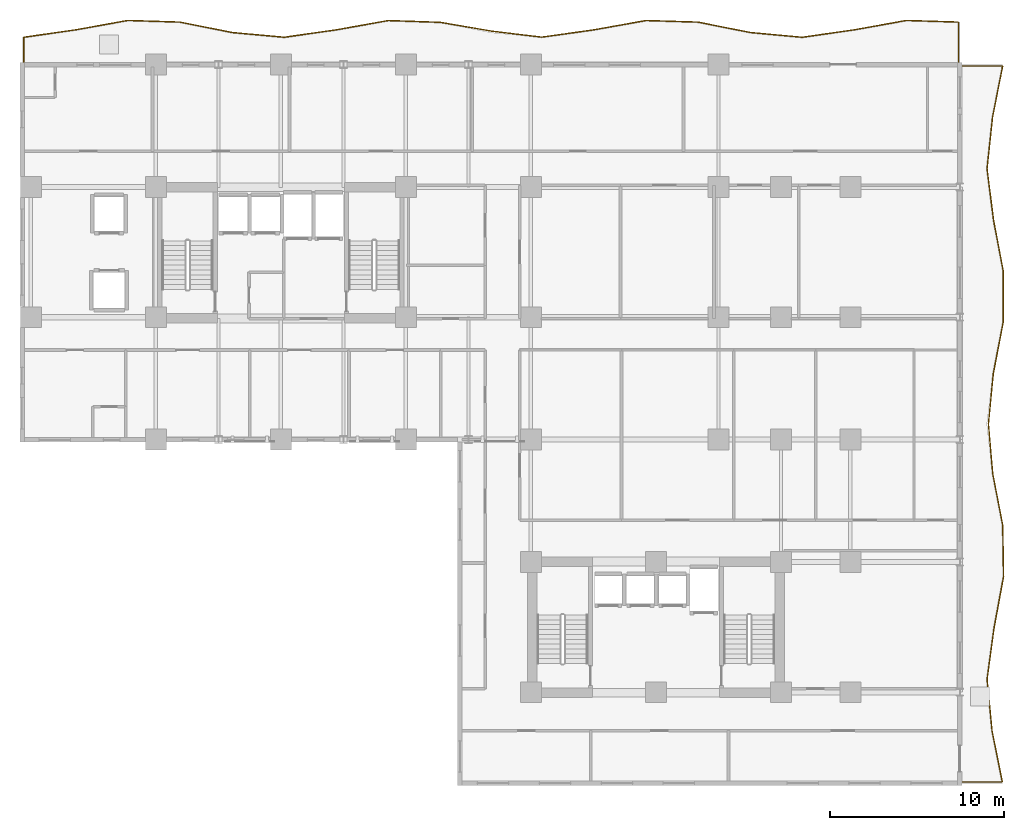
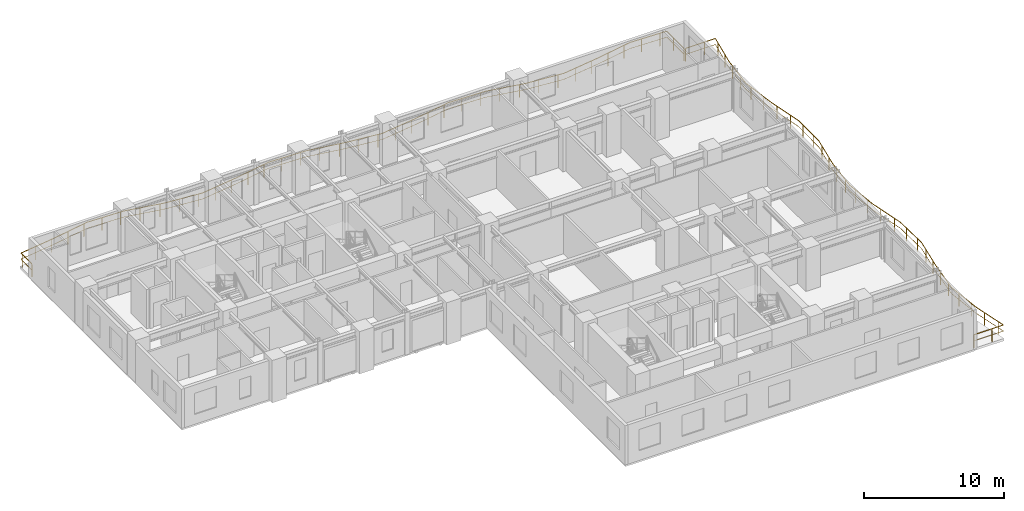
# One storey, part 11 of 11: 2 railings.
"""IFC4 building model written with IfcOpenShell, lengths in metres."""

import ifcopenshell
import ifcopenshell.guid

model = None  # the IFC model being written
_history = None  # IfcOwnerHistory: only IFC2X3 demands one
_inside = {}  # id of a spatial element -> (the spatial element, [elements in it])
_under = {}  # id of a project, library or spatial element -> (it, [spatial elements below it])
_declared = {}  # id of a project -> (the project, [libraries it declares])
_typed = {}  # id of a type object -> (the type object, [elements of that type])
_made_of = {}  # id of a material, layer set ... -> (it, [elements and type objects made of it])


def new_model(schema):
    """Start an empty IFC model of exactly this schema.

    Asked for "IFC4X3", IfcOpenShell would pick the latest addendum, in which some entities
    have other attributes; the version numbers below select the first issue.
    IFC2X3 requires an IfcOwnerHistory on every rooted entity: one is made here for all.
    """
    global model, _history
    if schema == "IFC4X3":
        model = ifcopenshell.file(schema_version=(4, 3, 0, 0))
    else:
        model = ifcopenshell.file(schema=schema)
    _inside.clear()
    _under.clear()
    _declared.clear()
    _typed.clear()
    _made_of.clear()
    _history = None
    if model.schema == "IFC2X3":
        org = make("IfcOrganization", Name="unknown")
        user = make(
            "IfcPersonAndOrganization",
            ThePerson=make("IfcPerson", FamilyName="unknown"),
            TheOrganization=org,
        )
        app = make(
            "IfcApplication",
            ApplicationDeveloper=org,
            Version="unknown",
            ApplicationFullName="unknown",
            ApplicationIdentifier="unknown",
        )
        _history = make(
            "IfcOwnerHistory",
            OwningUser=user,
            OwningApplication=app,
            ChangeAction="ADDED",
            CreationDate=0,
        )
    return model


def make(cls, **values):
    """One entity of the class cls with the attributes given. An attribute that is None is left unset."""
    return model.create_entity(
        cls, **{name: value for name, value in values.items() if value is not None}
    )


def rooted(cls, **values):
    """An entity with a GlobalId (a new one), such as an element, a storey or a relation."""
    return make(cls, GlobalId=ifcopenshell.guid.new(), OwnerHistory=_history, **values)


def si_unit(unit_type, name, prefix=None):
    """IfcSIUnit, for example si_unit("LENGTHUNIT", "METRE", prefix="MILLI")."""
    return make("IfcSIUnit", UnitType=unit_type, Prefix=prefix, Name=name)


def assignment(units):
    """IfcUnitAssignment: the units of a project."""
    return None if units is None else make("IfcUnitAssignment", Units=units)


def point(xyz):
    """IfcCartesianPoint."""
    return None if xyz is None else make("IfcCartesianPoint", Coordinates=xyz)


def direction(xyz):
    """IfcDirection."""
    return None if xyz is None else make("IfcDirection", DirectionRatios=xyz)


def frame(location, z_axis=None, x_axis=None):
    """IfcAxis2Placement3D, a coordinate frame: its origin and axes. An axis left out is left unset."""
    return make(
        "IfcAxis2Placement3D",
        Location=point(location),
        Axis=direction(z_axis),
        RefDirection=direction(x_axis),
    )


def frame_2d(location, x_axis=None):
    """IfcAxis2Placement2D, a coordinate frame in the plane: its origin and x axis."""
    return make(
        "IfcAxis2Placement2D", Location=point(location), RefDirection=direction(x_axis)
    )


def origin():
    """The frame at (0, 0, 0) with its axes left unset."""
    return frame((0.0, 0.0, 0.0))


def origin_2d():
    """The frame at (0, 0) in the plane with its x axis left unset."""
    return frame_2d((0.0, 0.0))


def place(relative_to, where):
    """IfcLocalPlacement: puts the frame where relative to a parent placement (None: the world)."""
    return make(
        "IfcLocalPlacement", PlacementRelTo=relative_to, RelativePlacement=where
    )


def context(
    kind, dimensions, precision=None, world=None, true_north=None, identifier=None
):
    """IfcGeometricRepresentationContext, for example the 3D "Model" context."""
    return make(
        "IfcGeometricRepresentationContext",
        ContextIdentifier=identifier,
        ContextType=kind,
        CoordinateSpaceDimension=dimensions,
        Precision=precision,
        WorldCoordinateSystem=world,
        TrueNorth=true_north,
    )


def subcontext(parent, identifier, kind, view, scale=None):
    """IfcGeometricRepresentationSubContext, for example "Body" below "Model"."""
    return make(
        "IfcGeometricRepresentationSubContext",
        ContextIdentifier=identifier,
        ContextType=kind,
        ParentContext=parent,
        TargetScale=scale,
        TargetView=view,
    )


def project(units=None, contexts=None):
    """IfcProject with its units and contexts."""
    return rooted(
        "IfcProject",
        Name="project",
        RepresentationContexts=contexts,
        UnitsInContext=assignment(units),
    )


def spatial(cls, under=None, at=None, **own):
    """A site, building, storey or space (cls), placed at a placement, below another one or the project."""
    s = rooted(cls, ObjectPlacement=at, **own)
    if under is not None:
        _under.setdefault(under.id(), (under, []))[1].append(s)
    return s


def profile(cls, at=None, kind="AREA", **sizes):
    """A parametric profile (cls). Its sizes go by their IFC names, for example OverallWidth=200.0."""
    return make(cls, ProfileType=kind, Position=at, **sizes)


def rectangle(**sizes):
    """IfcRectangleProfileDef."""
    return profile("IfcRectangleProfileDef", **sizes)


def extrude(swept, where, along, depth):
    """IfcExtrudedAreaSolid: the profile swept, set in the frame where, extruded along a direction by depth."""
    return make(
        "IfcExtrudedAreaSolid",
        SweptArea=swept,
        Position=where,
        ExtrudedDirection=direction(along),
        Depth=depth,
    )


def shape(context_of_items, identifier, shape_type, items):
    """IfcShapeRepresentation: the items that make up one representation, for example the "Body"."""
    return make(
        "IfcShapeRepresentation",
        ContextOfItems=context_of_items,
        RepresentationIdentifier=identifier,
        RepresentationType=shape_type,
        Items=items,
    )


def material(Name=None, Category=None):
    """IfcMaterial."""
    return make("IfcMaterial", Name=Name, Category=Category)


def made_of(thing, what):
    """Note that an element or type object is made of a material, layer set ...; save() writes the relation."""
    if what is not None:
        _made_of.setdefault(what.id(), (what, []))[1].append(thing)
    return thing


def type_object(cls, material=None, **own):
    """A type object (cls), such as IfcWallType, which elements share."""
    return made_of(rooted(cls, **own), material)


def element(
    cls,
    number,
    at=None,
    inside=None,
    cuts=None,
    type_object=None,
    material=None,
    context=None,
    identifier="Body",
    shape_type=None,
    held_by="IfcProductDefinitionShape",
    body=None,
    shapes=None,
    **own,
):
    """One element of the class cls, such as IfcWall. Its Tag is "e" and its number.

    at: its placement. inside: the storey or other place that contains it. cuts: it is an
    opening in that element (IfcRelVoidsElement). A single representation is given by context,
    identifier, shape_type and body (its items); several are given by shapes. held_by: the class
    of the entity that holds the representations. save() writes the other relations.
    """
    e = rooted(cls, Tag="e%d" % number, ObjectPlacement=at, **own)
    if body is not None:
        shapes = [shape(context, identifier, shape_type, body)]
    if shapes is not None:
        e.Representation = make(held_by, Representations=shapes)
    if inside is not None:
        _inside.setdefault(inside.id(), (inside, []))[1].append(e)
    if cuts is not None:
        rooted(
            "IfcRelVoidsElement", RelatingBuildingElement=cuts, RelatedOpeningElement=e
        )
    if type_object is not None:
        _typed.setdefault(type_object.id(), (type_object, []))[1].append(e)
    return made_of(e, material)


def aggregate(whole, parts):
    """IfcRelAggregates: a whole, such as a stair, and the parts it consists of."""
    return rooted("IfcRelAggregates", RelatingObject=whole, RelatedObjects=parts)


def save(model, path):
    """Write the relations noted so far, then the file.

    IfcRelAggregates (storeys below a building ...), IfcRelContainedInSpatialStructure (elements
    in a storey), IfcRelDefinesByType, IfcRelAssociatesMaterial and IfcRelDeclares: one each for
    every whole, place, type object, material and project.
    """
    for whole, parts in _under.values():
        aggregate(whole, parts)
    for where, things in _inside.values():
        rooted(
            "IfcRelContainedInSpatialStructure",
            RelatedElements=things,
            RelatingStructure=where,
        )
    for kind, things in _typed.values():
        rooted("IfcRelDefinesByType", RelatedObjects=things, RelatingType=kind)
    for what, things in _made_of.values():
        rooted("IfcRelAssociatesMaterial", RelatedObjects=things, RelatingMaterial=what)
    for by, libraries in _declared.values():
        rooted("IfcRelDeclares", RelatingContext=by, RelatedDefinitions=libraries)
    model.write(path)


model = new_model("IFC4")

# Units and contexts
model_context = context("Model", 3, precision=1e-05, world=origin(), true_north=direction((0.0, 1.0)))
body_context = subcontext(model_context, "Body", "Model", "MODEL_VIEW")
ifc_project = project(units=[si_unit("LENGTHUNIT", "METRE"), si_unit("AREAUNIT", "SQUARE_METRE"), si_unit("VOLUMEUNIT", "CUBIC_METRE"), si_unit("PLANEANGLEUNIT", "RADIAN"), si_unit("MASSUNIT", "GRAM", prefix="KILO")], contexts=[model_context])

# Site, building, storey
site_placement = place(None, origin())
site = spatial("IfcSite", under=ifc_project, at=site_placement, CompositionType="ELEMENT")
building_placement = place(site_placement, origin())
building = spatial("IfcBuilding", under=site, at=building_placement, Name="Kaliganga Portal Commons", CompositionType="ELEMENT")
storey_placement = place(building_placement, frame((0.0, 0.0, 104.5)))
storey = spatial("IfcBuildingStorey", under=building, at=storey_placement, Name="L26", CompositionType="ELEMENT", Elevation=104.5)

# Railings
ifc_material = material(Name="Laminated Safety Glass and Stainless Steel 316", Category="steel")
railing_type = type_object("IfcRailingType", Name="RLG-BAL-1150", PredefinedType="BALUSTRADE", material=ifc_material)
railing_1_placement = place(storey_placement, frame((60.6201171875, 43.20556640625, 0.0)))
element("IfcRailing", 1, at=railing_1_placement, inside=storey, type_object=railing_type, Name="Balcony Guardrail L26 balc_north", PredefinedType="BALUSTRADE", context=body_context, shape_type="SweptSolid", body=[
    extrude(rectangle(XDim=0.048095703125, YDim=0.048095703125, at=origin_2d()), frame((0.0, 0.0, 1.1259765625), z_axis=(0.0, 1.0, 0.0), x_axis=(-1.0, 0.0, 0.0)), (0.0, 0.0, 1.0), 2.441162109375),
    extrude(rectangle(XDim=0.028076171875, YDim=0.028076171875, at=origin_2d()), frame((0.0, 0.0, 0.597900390625), z_axis=(0.0, 1.0, 0.0), x_axis=(-1.0, 0.0, 0.0)), (0.0, 0.0, 1.0), 2.441162109375),
    extrude(rectangle(XDim=0.048095703125, YDim=0.048095703125, at=origin_2d()), frame((0.0, 2.441162109375, 1.1259765625), z_axis=(-0.999501865696, 0.031559791983, 0.0), x_axis=(-0.031559791983, -0.999501865696, 0.0)), (0.0, 0.0, 1.0), 3.00146484375),
    extrude(rectangle(XDim=0.028076171875, YDim=0.028076171875, at=origin_2d()), frame((0.0, 2.441162109375, 0.597900390625), z_axis=(-0.999501865696, 0.031559791983, 0.0), x_axis=(-0.031559791983, -0.999501865696, 0.0)), (0.0, 0.0, 1.0), 3.00146484375),
    extrude(rectangle(XDim=0.048095703125, YDim=0.048095703125, at=origin_2d()), frame((-3.0, 2.535888671875, 1.1259765625), z_axis=(-0.984153147736, -0.177320562263, 0.0), x_axis=(0.177320562263, -0.984153147736, 0.0)), (0.0, 0.0, 1.0), 3.04833984375),
    extrude(rectangle(XDim=0.028076171875, YDim=0.028076171875, at=origin_2d()), frame((-3.0, 2.535888671875, 0.597900390625), z_axis=(-0.984153147736, -0.177320562263, 0.0), x_axis=(0.177320562263, -0.984153147736, 0.0)), (0.0, 0.0, 1.0), 3.04833984375),
    extrude(rectangle(XDim=0.048095703125, YDim=0.048095703125, at=origin_2d()), frame((-6.0, 1.995361328125, 1.1259765625), z_axis=(-0.989954326844, -0.141387519825, 0.0), x_axis=(0.141387519825, -0.989954326844, 0.0)), (0.0, 0.0, 1.0), 3.030517578125),
    extrude(rectangle(XDim=0.028076171875, YDim=0.028076171875, at=origin_2d()), frame((-6.0, 1.995361328125, 0.597900390625), z_axis=(-0.989954326844, -0.141387519825, 0.0), x_axis=(0.141387519825, -0.989954326844, 0.0)), (0.0, 0.0, 1.0), 3.030517578125),
    extrude(rectangle(XDim=0.048095703125, YDim=0.048095703125, at=origin_2d()), frame((-9.0, 1.56689453125, 1.1259765625), z_axis=(-0.995820483332, 0.091332168352, 0.0), x_axis=(-0.091332168352, -0.995820483332, 0.0)), (0.0, 0.0, 1.0), 3.0126953125),
    extrude(rectangle(XDim=0.028076171875, YDim=0.028076171875, at=origin_2d()), frame((-9.0, 1.56689453125, 0.597900390625), z_axis=(-0.995820483332, 0.091332168352, 0.0), x_axis=(-0.091332168352, -0.995820483332, 0.0)), (0.0, 0.0, 1.0), 3.0126953125),
    extrude(rectangle(XDim=0.048095703125, YDim=0.048095703125, at=origin_2d()), frame((-12.0, 1.842041015625, 1.1259765625), z_axis=(-0.980758318904, 0.195225817711, 0.0), x_axis=(-0.195225817711, -0.980758318904, 0.0)), (0.0, 0.0, 1.0), 3.058837890625),
    extrude(rectangle(XDim=0.028076171875, YDim=0.028076171875, at=origin_2d()), frame((-12.0, 1.842041015625, 0.597900390625), z_axis=(-0.980758318904, 0.195225817711, 0.0), x_axis=(-0.195225817711, -0.980758318904, 0.0)), (0.0, 0.0, 1.0), 3.058837890625),
    extrude(rectangle(XDim=0.048095703125, YDim=0.048095703125, at=origin_2d()), frame((-15.0, 2.439208984375, 1.1259765625), z_axis=(-0.999519664647, 0.030990966165, 0.0), x_axis=(-0.030990966165, -0.999519664647, 0.0)), (0.0, 0.0, 1.0), 3.00146484375),
    extrude(rectangle(XDim=0.028076171875, YDim=0.028076171875, at=origin_2d()), frame((-15.0, 2.439208984375, 0.597900390625), z_axis=(-0.999519664647, 0.030990966165, 0.0), x_axis=(-0.030990966165, -0.999519664647, 0.0)), (0.0, 0.0, 1.0), 3.00146484375),
    extrude(rectangle(XDim=0.048095703125, YDim=0.048095703125, at=origin_2d()), frame((-18.0, 2.5322265625, 1.1259765625), z_axis=(-0.984306544879, -0.176467066924, 0.0), x_axis=(0.176467066924, -0.984306544879, 0.0)), (0.0, 0.0, 1.0), 3.0478515625),
    extrude(rectangle(XDim=0.028076171875, YDim=0.028076171875, at=origin_2d()), frame((-18.0, 2.5322265625, 0.597900390625), z_axis=(-0.984306544879, -0.176467066924, 0.0), x_axis=(0.176467066924, -0.984306544879, 0.0)), (0.0, 0.0, 1.0), 3.0478515625),
    extrude(rectangle(XDim=0.048095703125, YDim=0.048095703125, at=origin_2d()), frame((-21.0, 1.994384765625, 1.1259765625), z_axis=(-0.990331118511, -0.138723738805, 0.0), x_axis=(0.138723738805, -0.990331118511, 0.0)), (0.0, 0.0, 1.0), 3.02880859375),
    extrude(rectangle(XDim=0.028076171875, YDim=0.028076171875, at=origin_2d()), frame((-21.0, 1.994384765625, 0.597900390625), z_axis=(-0.990331118511, -0.138723738805, 0.0), x_axis=(0.138723738805, -0.990331118511, 0.0)), (0.0, 0.0, 1.0), 3.02880859375),
    extrude(rectangle(XDim=0.048095703125, YDim=0.048095703125, at=origin_2d()), frame((-23.99951171875, 1.57421875, 1.1259765625), z_axis=(-0.992999637098, 0.11811740229, 0.0), x_axis=(-0.11811740229, -0.992999637098, 0.0)), (0.0, 0.0, 1.0), 2.941162109375),
    extrude(rectangle(XDim=0.028076171875, YDim=0.028076171875, at=origin_2d()), frame((-23.99951171875, 1.57421875, 0.597900390625), z_axis=(-0.992999637098, 0.11811740229, 0.0), x_axis=(-0.11811740229, -0.992999637098, 0.0)), (0.0, 0.0, 1.0), 2.941162109375),
    extrude(rectangle(XDim=0.048095703125, YDim=0.048095703125, at=origin_2d()), frame((-26.920166015625, 1.921630859375, 1.1259765625), z_axis=(-0.985293235579, 0.170871998648, 0.0), x_axis=(-0.170871998648, -0.985293235579, 0.0)), (0.0, 0.0, 1.0), 2.96484375),
    extrude(rectangle(XDim=0.028076171875, YDim=0.028076171875, at=origin_2d()), frame((-26.920166015625, 1.921630859375, 0.597900390625), z_axis=(-0.985293235579, 0.170871998648, 0.0), x_axis=(-0.170871998648, -0.985293235579, 0.0)), (0.0, 0.0, 1.0), 2.96484375),
    extrude(rectangle(XDim=0.048095703125, YDim=0.048095703125, at=origin_2d()), frame((-29.84130859375, 2.42822265625, 1.1259765625), z_axis=(-0.999429908755, 0.033761775509, 0.0), x_axis=(-0.033761775509, -0.999429908755, 0.0)), (0.0, 0.0, 1.0), 3.0009765625),
    extrude(rectangle(XDim=0.028076171875, YDim=0.028076171875, at=origin_2d()), frame((-29.84130859375, 2.42822265625, 0.597900390625), z_axis=(-0.999429908755, 0.033761775509, 0.0), x_axis=(-0.033761775509, -0.999429908755, 0.0)), (0.0, 0.0, 1.0), 3.0009765625),
    extrude(rectangle(XDim=0.048095703125, YDim=0.048095703125, at=origin_2d()), frame((-32.840576171875, 2.529541015625, 1.1259765625), z_axis=(-0.98448200502, -0.175485560068, 0.0), x_axis=(0.175485560068, -0.98448200502, 0.0)), (0.0, 0.0, 1.0), 3.046875),
    extrude(rectangle(XDim=0.028076171875, YDim=0.028076171875, at=origin_2d()), frame((-32.840576171875, 2.529541015625, 0.597900390625), z_axis=(-0.98448200502, -0.175485560068, 0.0), x_axis=(0.175485560068, -0.98448200502, 0.0)), (0.0, 0.0, 1.0), 3.046875),
    extrude(rectangle(XDim=0.048095703125, YDim=0.048095703125, at=origin_2d()), frame((-35.840087890625, 1.994873046875, 1.1259765625), z_axis=(-0.990010631998, -0.140992725097, 0.0), x_axis=(0.140992725097, -0.990010631998, 0.0)), (0.0, 0.0, 1.0), 3.0302734375),
    extrude(rectangle(XDim=0.028076171875, YDim=0.028076171875, at=origin_2d()), frame((-35.840087890625, 1.994873046875, 0.597900390625), z_axis=(-0.990010631998, -0.140992725097, 0.0), x_axis=(0.140992725097, -0.990010631998, 0.0)), (0.0, 0.0, 1.0), 3.0302734375),
    extrude(rectangle(XDim=0.048095703125, YDim=0.048095703125, at=origin_2d()), frame((-38.840087890625, 1.567626953125, 1.1259765625), z_axis=(-0.99584256653, 0.091091068097, 0.0), x_axis=(-0.091091068097, -0.99584256653, 0.0)), (0.0, 0.0, 1.0), 3.012451171875),
    extrude(rectangle(XDim=0.028076171875, YDim=0.028076171875, at=origin_2d()), frame((-38.840087890625, 1.567626953125, 0.597900390625), z_axis=(-0.99584256653, 0.091091068097, 0.0), x_axis=(-0.091091068097, -0.99584256653, 0.0)), (0.0, 0.0, 1.0), 3.012451171875),
    extrude(rectangle(XDim=0.048095703125, YDim=0.048095703125, at=origin_2d()), frame((-41.840087890625, 1.842041015625, 1.1259765625), z_axis=(-0.980681839779, 0.195609634546, 0.0), x_axis=(-0.195609634546, -0.980681839779, 0.0)), (0.0, 0.0, 1.0), 3.05908203125),
    extrude(rectangle(XDim=0.028076171875, YDim=0.028076171875, at=origin_2d()), frame((-41.840087890625, 1.842041015625, 0.597900390625), z_axis=(-0.980681839779, 0.195609634546, 0.0), x_axis=(-0.195609634546, -0.980681839779, 0.0)), (0.0, 0.0, 1.0), 3.05908203125),
    extrude(rectangle(XDim=0.048095703125, YDim=0.048095703125, at=origin_2d()), frame((-44.840087890625, 2.4404296875, 1.1259765625), z_axis=(-0.999496720941, 0.031722308038, 0.0), x_axis=(-0.031722308038, -0.999496720941, 0.0)), (0.0, 0.0, 1.0), 3.00146484375),
    extrude(rectangle(XDim=0.028076171875, YDim=0.028076171875, at=origin_2d()), frame((-44.840087890625, 2.4404296875, 0.597900390625), z_axis=(-0.999496720941, 0.031722308038, 0.0), x_axis=(-0.031722308038, -0.999496720941, 0.0)), (0.0, 0.0, 1.0), 3.00146484375),
    extrude(rectangle(XDim=0.048095703125, YDim=0.048095703125, at=origin_2d()), frame((-47.840087890625, 2.53564453125, 1.1259765625), z_axis=(-0.984167121533, -0.177242988277, 0.0), x_axis=(0.177242988277, -0.984167121533, 0.0)), (0.0, 0.0, 1.0), 3.04833984375),
    extrude(rectangle(XDim=0.028076171875, YDim=0.028076171875, at=origin_2d()), frame((-47.840087890625, 2.53564453125, 0.597900390625), z_axis=(-0.984167121533, -0.177242988277, 0.0), x_axis=(0.177242988277, -0.984167121533, 0.0)), (0.0, 0.0, 1.0), 3.04833984375),
    extrude(rectangle(XDim=0.048095703125, YDim=0.048095703125, at=origin_2d()), frame((-50.840087890625, 1.995361328125, 1.1259765625), z_axis=(-0.989943047691, -0.141466470682, 0.0), x_axis=(0.141466470682, -0.989943047691, 0.0)), (0.0, 0.0, 1.0), 3.030517578125),
    extrude(rectangle(XDim=0.028076171875, YDim=0.028076171875, at=origin_2d()), frame((-50.840087890625, 1.995361328125, 0.597900390625), z_axis=(-0.989943047691, -0.141466470682, 0.0), x_axis=(0.141466470682, -0.989943047691, 0.0)), (0.0, 0.0, 1.0), 3.030517578125),
    extrude(rectangle(XDim=0.048095703125, YDim=0.048095703125, at=origin_2d()), frame((-53.840087890625, 1.566650390625, 1.1259765625), z_axis=(-0.000155836059, -0.999999987858, 0.0), x_axis=(0.999999987858, -0.000155836059, 0.0)), (0.0, 0.0, 1.0), 1.566650390625),
    extrude(rectangle(XDim=0.028076171875, YDim=0.028076171875, at=origin_2d()), frame((-53.840087890625, 1.566650390625, 0.597900390625), z_axis=(-0.000155836059, -0.999999987858, 0.0), x_axis=(0.999999987858, -0.000155836059, 0.0)), (0.0, 0.0, 1.0), 1.566650390625),
    extrude(rectangle(XDim=0.0419921875, YDim=0.0419921875, at=origin_2d()), origin(), (0.0, 0.0, 1.0), 1.101806640625),
    extrude(rectangle(XDim=0.0419921875, YDim=0.0419921875, at=origin_2d()), frame((0.0, 1.5, 0.0)), (0.0, 0.0, 1.0), 1.101806640625),
    extrude(rectangle(XDim=0.0419921875, YDim=0.0419921875, at=origin_2d()), frame((-0.55859375, 2.458740234375, 0.0)), (0.0, 0.0, 1.0), 1.101806640625),
    extrude(rectangle(XDim=0.0419921875, YDim=0.0419921875, at=origin_2d()), frame((-2.057861328125, 2.506103515625, 0.0)), (0.0, 0.0, 1.0), 1.101806640625),
    extrude(rectangle(XDim=0.0419921875, YDim=0.0419921875, at=origin_2d()), frame((-3.548583984375, 2.43701171875, 0.0)), (0.0, 0.0, 1.0), 1.101806640625),
    extrude(rectangle(XDim=0.0419921875, YDim=0.0419921875, at=origin_2d()), frame((-5.024658203125, 2.171142578125, 0.0)), (0.0, 0.0, 1.0), 1.101806640625),
    extrude(rectangle(XDim=0.0419921875, YDim=0.0419921875, at=origin_2d()), frame((-6.50390625, 1.92333984375, 0.0)), (0.0, 0.0, 1.0), 1.101806640625),
    extrude(rectangle(XDim=0.0419921875, YDim=0.0419921875, at=origin_2d()), frame((-7.98876953125, 1.71142578125, 0.0)), (0.0, 0.0, 1.0), 1.101806640625),
    extrude(rectangle(XDim=0.0419921875, YDim=0.0419921875, at=origin_2d()), frame((-9.4765625, 1.610595703125, 0.0)), (0.0, 0.0, 1.0), 1.101806640625),
    extrude(rectangle(XDim=0.0419921875, YDim=0.0419921875, at=origin_2d()), frame((-10.97021484375, 1.74755859375, 0.0)), (0.0, 0.0, 1.0), 1.101806640625),
    extrude(rectangle(XDim=0.0419921875, YDim=0.0419921875, at=origin_2d()), frame((-12.45703125, 1.93310546875, 0.0)), (0.0, 0.0, 1.0), 1.101806640625),
    extrude(rectangle(XDim=0.0419921875, YDim=0.0419921875, at=origin_2d()), frame((-13.92822265625, 2.225830078125, 0.0)), (0.0, 0.0, 1.0), 1.101806640625),
    extrude(rectangle(XDim=0.0419921875, YDim=0.0419921875, at=origin_2d()), frame((-15.406982421875, 2.451904296875, 0.0)), (0.0, 0.0, 1.0), 1.101806640625),
    extrude(rectangle(XDim=0.0419921875, YDim=0.0419921875, at=origin_2d()), frame((-16.90625, 2.498291015625, 0.0)), (0.0, 0.0, 1.0), 1.101806640625),
    extrude(rectangle(XDim=0.0419921875, YDim=0.0419921875, at=origin_2d()), frame((-18.3994140625, 2.460693359375, 0.0)), (0.0, 0.0, 1.0), 1.101806640625),
    extrude(rectangle(XDim=0.0419921875, YDim=0.0419921875, at=origin_2d()), frame((-19.875732421875, 2.196044921875, 0.0)), (0.0, 0.0, 1.0), 1.101806640625),
    extrude(rectangle(XDim=0.0419921875, YDim=0.0419921875, at=origin_2d()), frame((-21.3544921875, 1.94482421875, 0.0)), (0.0, 0.0, 1.0), 1.101806640625),
    extrude(rectangle(XDim=0.0419921875, YDim=0.0419921875, at=origin_2d()), frame((-22.83984375, 1.736572265625, 0.0)), (0.0, 0.0, 1.0), 1.101806640625),
    extrude(rectangle(XDim=0.0419921875, YDim=0.0419921875, at=origin_2d()), frame((-24.326171875, 1.613037109375, 0.0)), (0.0, 0.0, 1.0), 1.101806640625),
    extrude(rectangle(XDim=0.0419921875, YDim=0.0419921875, at=origin_2d()), frame((-25.815673828125, 1.790283203125, 0.0)), (0.0, 0.0, 1.0), 1.101806640625),
    extrude(rectangle(XDim=0.0419921875, YDim=0.0419921875, at=origin_2d()), frame((-27.30224609375, 1.98779296875, 0.0)), (0.0, 0.0, 1.0), 1.101806640625),
    extrude(rectangle(XDim=0.0419921875, YDim=0.0419921875, at=origin_2d()), frame((-28.7802734375, 2.244140625, 0.0)), (0.0, 0.0, 1.0), 1.101806640625),
    extrude(rectangle(XDim=0.0419921875, YDim=0.0419921875, at=origin_2d()), frame((-30.26416015625, 2.442626953125, 0.0)), (0.0, 0.0, 1.0), 1.101806640625),
    extrude(rectangle(XDim=0.0419921875, YDim=0.0419921875, at=origin_2d()), frame((-31.76318359375, 2.4931640625, 0.0)), (0.0, 0.0, 1.0), 1.101806640625),
    extrude(rectangle(XDim=0.0419921875, YDim=0.0419921875, at=origin_2d()), frame((-33.256103515625, 2.45556640625, 0.0)), (0.0, 0.0, 1.0), 1.101806640625),
    extrude(rectangle(XDim=0.0419921875, YDim=0.0419921875, at=origin_2d()), frame((-34.73291015625, 2.192138671875, 0.0)), (0.0, 0.0, 1.0), 1.101806640625),
    extrude(rectangle(XDim=0.0419921875, YDim=0.0419921875, at=origin_2d()), frame((-36.211669921875, 1.94189453125, 0.0)), (0.0, 0.0, 1.0), 1.101806640625),
    extrude(rectangle(XDim=0.0419921875, YDim=0.0419921875, at=origin_2d()), frame((-37.69677734375, 1.73046875, 0.0)), (0.0, 0.0, 1.0), 1.101806640625),
    extrude(rectangle(XDim=0.0419921875, YDim=0.0419921875, at=origin_2d()), frame((-39.18359375, 1.59912109375, 0.0)), (0.0, 0.0, 1.0), 1.101806640625),
    extrude(rectangle(XDim=0.0419921875, YDim=0.0419921875, at=origin_2d()), frame((-40.677490234375, 1.735595703125, 0.0)), (0.0, 0.0, 1.0), 1.101806640625),
    extrude(rectangle(XDim=0.0419921875, YDim=0.0419921875, at=origin_2d()), frame((-42.166259765625, 1.906982421875, 0.0)), (0.0, 0.0, 1.0), 1.101806640625),
    extrude(rectangle(XDim=0.0419921875, YDim=0.0419921875, at=origin_2d()), frame((-43.63720703125, 2.200439453125, 0.0)), (0.0, 0.0, 1.0), 1.101806640625),
    extrude(rectangle(XDim=0.0419921875, YDim=0.0419921875, at=origin_2d()), frame((-45.11328125, 2.44921875, 0.0)), (0.0, 0.0, 1.0), 1.101806640625),
    extrude(rectangle(XDim=0.0419921875, YDim=0.0419921875, at=origin_2d()), frame((-46.612548828125, 2.49658203125, 0.0)), (0.0, 0.0, 1.0), 1.101806640625),
    extrude(rectangle(XDim=0.0419921875, YDim=0.0419921875, at=origin_2d()), frame((-48.107666015625, 2.487548828125, 0.0)), (0.0, 0.0, 1.0), 1.101806640625),
    extrude(rectangle(XDim=0.0419921875, YDim=0.0419921875, at=origin_2d()), frame((-49.583984375, 2.2216796875, 0.0)), (0.0, 0.0, 1.0), 1.101806640625),
    extrude(rectangle(XDim=0.0419921875, YDim=0.0419921875, at=origin_2d()), frame((-51.0615234375, 1.963623046875, 0.0)), (0.0, 0.0, 1.0), 1.101806640625),
    extrude(rectangle(XDim=0.0419921875, YDim=0.0419921875, at=origin_2d()), frame((-52.54638671875, 1.75146484375, 0.0)), (0.0, 0.0, 1.0), 1.101806640625),
    extrude(rectangle(XDim=0.0419921875, YDim=0.0419921875, at=origin_2d()), frame((-53.840087890625, 1.37353515625, 0.0)), (0.0, 0.0, 1.0), 1.101806640625),
    extrude(rectangle(XDim=0.0419921875, YDim=0.0419921875, at=origin_2d()), frame((-53.84033203125, 0.0, 0.0)), (0.0, 0.0, 1.0), 1.101806640625),
])
railing_2_placement = place(storey_placement, frame((60.70703125, 1.879638671875, 0.0)))
element("IfcRailing", 2, at=railing_2_placement, inside=storey, type_object=railing_type, Name="Balcony Guardrail L26 balc_east", PredefinedType="BALUSTRADE", context=body_context, shape_type="SweptSolid", body=[
    extrude(rectangle(XDim=0.048095703125, YDim=0.048095703125, at=origin_2d()), frame((0.0, 0.0, 1.1259765625), z_axis=(0.99999999499, 0.0001001001, 0.0), x_axis=(-0.0001001001, 0.99999999499, 0.0)), (0.0, 0.0, 1.0), 2.43896484375),
    extrude(rectangle(XDim=0.028076171875, YDim=0.028076171875, at=origin_2d()), frame((0.0, 0.0, 0.597900390625), z_axis=(0.99999999499, 0.0001001001, 0.0), x_axis=(-0.0001001001, 0.99999999499, 0.0)), (0.0, 0.0, 1.0), 2.43896484375),
    extrude(rectangle(XDim=0.048095703125, YDim=0.048095703125, at=origin_2d()), frame((2.43896484375, 0.000244140625, 1.1259765625), z_axis=(-0.195758035689, 0.980652227583, 0.0), x_axis=(-0.980652227583, -0.195758035689, 0.0)), (0.0, 0.0, 1.0), 3.015625),
    extrude(rectangle(XDim=0.028076171875, YDim=0.028076171875, at=origin_2d()), frame((2.43896484375, 0.000244140625, 0.597900390625), z_axis=(-0.195758035689, 0.980652227583, 0.0), x_axis=(-0.980652227583, -0.195758035689, 0.0)), (0.0, 0.0, 1.0), 3.015625),
    extrude(rectangle(XDim=0.048095703125, YDim=0.048095703125, at=origin_2d()), frame((1.8486328125, 2.95751953125, 1.1259765625), z_axis=(-0.09615085245, 0.995366773392, 0.0), x_axis=(-0.995366773392, -0.09615085245, 0.0)), (0.0, 0.0, 1.0), 2.970703125),
    extrude(rectangle(XDim=0.028076171875, YDim=0.028076171875, at=origin_2d()), frame((1.8486328125, 2.95751953125, 0.597900390625), z_axis=(-0.09615085245, 0.995366773392, 0.0), x_axis=(-0.995366773392, -0.09615085245, 0.0)), (0.0, 0.0, 1.0), 2.970703125),
    extrude(rectangle(XDim=0.048095703125, YDim=0.048095703125, at=origin_2d()), frame((1.56298828125, 5.91455078125, 1.1259765625), z_axis=(0.135051149595, 0.990838628129, 0.0), x_axis=(-0.990838628129, 0.135051149595, 0.0)), (0.0, 0.0, 1.0), 2.984619140625),
    extrude(rectangle(XDim=0.028076171875, YDim=0.028076171875, at=origin_2d()), frame((1.56298828125, 5.91455078125, 0.597900390625), z_axis=(0.135051149595, 0.990838628129, 0.0), x_axis=(-0.990838628129, 0.135051149595, 0.0)), (0.0, 0.0, 1.0), 2.984619140625),
    extrude(rectangle(XDim=0.048095703125, YDim=0.048095703125, at=origin_2d()), frame((1.966064453125, 8.871826171875, 1.1259765625), z_axis=(0.181621160981, 0.98336857479, 0.0), x_axis=(-0.98336857479, 0.181621160981, 0.0)), (0.0, 0.0, 1.0), 3.007080078125),
    extrude(rectangle(XDim=0.028076171875, YDim=0.028076171875, at=origin_2d()), frame((1.966064453125, 8.871826171875, 0.597900390625), z_axis=(0.181621160981, 0.98336857479, 0.0), x_axis=(-0.98336857479, 0.181621160981, 0.0)), (0.0, 0.0, 1.0), 3.007080078125),
    extrude(rectangle(XDim=0.048095703125, YDim=0.048095703125, at=origin_2d()), frame((2.51220703125, 11.828857421875, 1.1259765625), z_axis=(-0.01634658941, 0.999866385581, 0.0), x_axis=(-0.999866385581, -0.01634658941, 0.0)), (0.0, 0.0, 1.0), 2.957275390625),
    extrude(rectangle(XDim=0.028076171875, YDim=0.028076171875, at=origin_2d()), frame((2.51220703125, 11.828857421875, 0.597900390625), z_axis=(-0.01634658941, 0.999866385581, 0.0), x_axis=(-0.999866385581, -0.01634658941, 0.0)), (0.0, 0.0, 1.0), 2.957275390625),
    extrude(rectangle(XDim=0.048095703125, YDim=0.048095703125, at=origin_2d()), frame((2.4638671875, 14.78564453125, 1.1259765625), z_axis=(-0.190674449267, 0.981653326993, 0.0), x_axis=(-0.981653326993, -0.190674449267, 0.0)), (0.0, 0.0, 1.0), 3.0126953125),
    extrude(rectangle(XDim=0.028076171875, YDim=0.028076171875, at=origin_2d()), frame((2.4638671875, 14.78564453125, 0.597900390625), z_axis=(-0.190674449267, 0.981653326993, 0.0), x_axis=(-0.981653326993, -0.190674449267, 0.0)), (0.0, 0.0, 1.0), 3.0126953125),
    extrude(rectangle(XDim=0.048095703125, YDim=0.048095703125, at=origin_2d()), frame((1.889404296875, 17.7431640625, 1.1259765625), z_axis=(-0.087067331522, 0.996202429118, 0.0), x_axis=(-0.996202429118, -0.087067331522, 0.0)), (0.0, 0.0, 1.0), 2.88818359375),
    extrude(rectangle(XDim=0.028076171875, YDim=0.028076171875, at=origin_2d()), frame((1.889404296875, 17.7431640625, 0.597900390625), z_axis=(-0.087067331522, 0.996202429118, 0.0), x_axis=(-0.996202429118, -0.087067331522, 0.0)), (0.0, 0.0, 1.0), 2.88818359375),
    extrude(rectangle(XDim=0.048095703125, YDim=0.048095703125, at=origin_2d()), frame((1.637939453125, 20.620361328125, 1.1259765625), z_axis=(0.097287675922, 0.995256302725, 0.0), x_axis=(-0.995256302725, 0.097287675922, 0.0)), (0.0, 0.0, 1.0), 2.890869140625),
    extrude(rectangle(XDim=0.028076171875, YDim=0.028076171875, at=origin_2d()), frame((1.637939453125, 20.620361328125, 0.597900390625), z_axis=(0.097287675922, 0.995256302725, 0.0), x_axis=(-0.995256302725, 0.097287675922, 0.0)), (0.0, 0.0, 1.0), 2.890869140625),
    extrude(rectangle(XDim=0.048095703125, YDim=0.048095703125, at=origin_2d()), frame((1.919189453125, 23.49755859375, 1.1259765625), z_axis=(0.187548028569, 0.982255433673, 0.0), x_axis=(-0.982255433673, 0.187548028569, 0.0)), (0.0, 0.0, 1.0), 3.010986328125),
    extrude(rectangle(XDim=0.028076171875, YDim=0.028076171875, at=origin_2d()), frame((1.919189453125, 23.49755859375, 0.597900390625), z_axis=(0.187548028569, 0.982255433673, 0.0), x_axis=(-0.982255433673, 0.187548028569, 0.0)), (0.0, 0.0, 1.0), 3.010986328125),
    extrude(rectangle(XDim=0.048095703125, YDim=0.048095703125, at=origin_2d()), frame((2.48388671875, 26.455078125, 1.1259765625), z_axis=(0.00371560477, 0.999993097117, 0.0), x_axis=(-0.999993097117, 0.00371560477, 0.0)), (0.0, 0.0, 1.0), 2.956787109375),
    extrude(rectangle(XDim=0.028076171875, YDim=0.028076171875, at=origin_2d()), frame((2.48388671875, 26.455078125, 0.597900390625), z_axis=(0.00371560477, 0.999993097117, 0.0), x_axis=(-0.999993097117, 0.00371560477, 0.0)), (0.0, 0.0, 1.0), 2.956787109375),
    extrude(rectangle(XDim=0.048095703125, YDim=0.048095703125, at=origin_2d()), frame((2.494873046875, 29.411865234375, 1.1259765625), z_axis=(-0.186168942481, 0.982517747858, 0.0), x_axis=(-0.982517747858, -0.186168942481, 0.0)), (0.0, 0.0, 1.0), 3.009765625),
    extrude(rectangle(XDim=0.028076171875, YDim=0.028076171875, at=origin_2d()), frame((2.494873046875, 29.411865234375, 0.597900390625), z_axis=(-0.186168942481, 0.982517747858, 0.0), x_axis=(-0.982517747858, -0.186168942481, 0.0)), (0.0, 0.0, 1.0), 3.009765625),
    extrude(rectangle(XDim=0.048095703125, YDim=0.048095703125, at=origin_2d()), frame((1.9345703125, 32.368896484375, 1.1259765625), z_axis=(-0.125637327584, 0.992076237956, 0.0), x_axis=(-0.992076237956, -0.125637327584, 0.0)), (0.0, 0.0, 1.0), 2.98095703125),
    extrude(rectangle(XDim=0.028076171875, YDim=0.028076171875, at=origin_2d()), frame((1.9345703125, 32.368896484375, 0.597900390625), z_axis=(-0.125637327584, 0.992076237956, 0.0), x_axis=(-0.992076237956, -0.125637327584, 0.0)), (0.0, 0.0, 1.0), 2.98095703125),
    extrude(rectangle(XDim=0.048095703125, YDim=0.048095703125, at=origin_2d()), frame((1.56005859375, 35.326171875, 1.1259765625), z_axis=(0.106962088755, 0.994263099772, 0.0), x_axis=(-0.994263099772, 0.106962088755, 0.0)), (0.0, 0.0, 1.0), 2.97412109375),
    extrude(rectangle(XDim=0.028076171875, YDim=0.028076171875, at=origin_2d()), frame((1.56005859375, 35.326171875, 0.597900390625), z_axis=(0.106962088755, 0.994263099772, 0.0), x_axis=(-0.994263099772, 0.106962088755, 0.0)), (0.0, 0.0, 1.0), 2.97412109375),
    extrude(rectangle(XDim=0.048095703125, YDim=0.048095703125, at=origin_2d()), frame((1.878173828125, 38.283203125, 1.1259765625), z_axis=(0.193420688779, 0.981115914228, 0.0), x_axis=(-0.981115914228, 0.193420688779, 0.0)), (0.0, 0.0, 1.0), 3.01416015625),
    extrude(rectangle(XDim=0.028076171875, YDim=0.028076171875, at=origin_2d()), frame((1.878173828125, 38.283203125, 0.597900390625), z_axis=(0.193420688779, 0.981115914228, 0.0), x_axis=(-0.981115914228, 0.193420688779, 0.0)), (0.0, 0.0, 1.0), 3.01416015625),
    extrude(rectangle(XDim=0.048095703125, YDim=0.048095703125, at=origin_2d()), frame((2.461181640625, 41.240478515625, 1.1259765625), z_axis=(-0.99999999508, 9.9196508e-05, 0.0), x_axis=(-9.9196508e-05, -0.99999999508, 0.0)), (0.0, 0.0, 1.0), 2.461181640625),
    extrude(rectangle(XDim=0.028076171875, YDim=0.028076171875, at=origin_2d()), frame((2.461181640625, 41.240478515625, 0.597900390625), z_axis=(-0.99999999508, 9.9196508e-05, 0.0), x_axis=(-9.9196508e-05, -0.99999999508, 0.0)), (0.0, 0.0, 1.0), 2.461181640625),
    extrude(rectangle(XDim=0.0419921875, YDim=0.0419921875, at=origin_2d()), origin(), (0.0, 0.0, 1.0), 1.101806640625),
    extrude(rectangle(XDim=0.0419921875, YDim=0.0419921875, at=origin_2d()), frame((1.5, 0.000244140625, 0.0)), (0.0, 0.0, 1.0), 1.101806640625),
    extrude(rectangle(XDim=0.0419921875, YDim=0.0419921875, at=origin_2d()), frame((2.3291015625, 0.550537109375, 0.0)), (0.0, 0.0, 1.0), 1.101806640625),
    extrude(rectangle(XDim=0.0419921875, YDim=0.0419921875, at=origin_2d()), frame((2.035400390625, 2.021484375, 0.0)), (0.0, 0.0, 1.0), 1.101806640625),
    extrude(rectangle(XDim=0.0419921875, YDim=0.0419921875, at=origin_2d()), frame((1.796142578125, 3.50048828125, 0.0)), (0.0, 0.0, 1.0), 1.101806640625),
    extrude(rectangle(XDim=0.0419921875, YDim=0.0419921875, at=origin_2d()), frame((1.65185546875, 4.993408203125, 0.0)), (0.0, 0.0, 1.0), 1.101806640625),
    extrude(rectangle(XDim=0.0419921875, YDim=0.0419921875, at=origin_2d()), frame((1.640625, 6.48388671875, 0.0)), (0.0, 0.0, 1.0), 1.101806640625),
    extrude(rectangle(XDim=0.0419921875, YDim=0.0419921875, at=origin_2d()), frame((1.84326171875, 7.97021484375, 0.0)), (0.0, 0.0, 1.0), 1.101806640625),
    extrude(rectangle(XDim=0.0419921875, YDim=0.0419921875, at=origin_2d()), frame((2.0732421875, 9.451904296875, 0.0)), (0.0, 0.0, 1.0), 1.101806640625),
    extrude(rectangle(XDim=0.0419921875, YDim=0.0419921875, at=origin_2d()), frame((2.345703125, 10.927001953125, 0.0)), (0.0, 0.0, 1.0), 1.101806640625),
    extrude(rectangle(XDim=0.0419921875, YDim=0.0419921875, at=origin_2d()), frame((2.502685546875, 12.41162109375, 0.0)), (0.0, 0.0, 1.0), 1.101806640625),
    extrude(rectangle(XDim=0.0419921875, YDim=0.0419921875, at=origin_2d()), frame((2.478271484375, 13.91162109375, 0.0)), (0.0, 0.0, 1.0), 1.101806640625),
    extrude(rectangle(XDim=0.0419921875, YDim=0.0419921875, at=origin_2d()), frame((2.344482421875, 15.39990234375, 0.0)), (0.0, 0.0, 1.0), 1.101806640625),
    extrude(rectangle(XDim=0.0419921875, YDim=0.0419921875, at=origin_2d()), frame((2.05859375, 16.872314453125, 0.0)), (0.0, 0.0, 1.0), 1.101806640625),
    extrude(rectangle(XDim=0.0419921875, YDim=0.0419921875, at=origin_2d()), frame((1.8359375, 18.353759765625, 0.0)), (0.0, 0.0, 1.0), 1.101806640625),
    extrude(rectangle(XDim=0.0419921875, YDim=0.0419921875, at=origin_2d()), frame((1.705322265625, 19.84814453125, 0.0)), (0.0, 0.0, 1.0), 1.101806640625),
    extrude(rectangle(XDim=0.0419921875, YDim=0.0419921875, at=origin_2d()), frame((1.70849609375, 21.341796875, 0.0)), (0.0, 0.0, 1.0), 1.101806640625),
    extrude(rectangle(XDim=0.0419921875, YDim=0.0419921875, at=origin_2d()), frame((1.8544921875, 22.834716796875, 0.0)), (0.0, 0.0, 1.0), 1.101806640625),
    extrude(rectangle(XDim=0.0419921875, YDim=0.0419921875, at=origin_2d()), frame((2.07568359375, 24.316650390625, 0.0)), (0.0, 0.0, 1.0), 1.101806640625),
    extrude(rectangle(XDim=0.0419921875, YDim=0.0419921875, at=origin_2d()), frame((2.35693359375, 25.7900390625, 0.0)), (0.0, 0.0, 1.0), 1.101806640625),
    extrude(rectangle(XDim=0.0419921875, YDim=0.0419921875, at=origin_2d()), frame((2.487060546875, 27.278076171875, 0.0)), (0.0, 0.0, 1.0), 1.101806640625),
    extrude(rectangle(XDim=0.0419921875, YDim=0.0419921875, at=origin_2d()), frame((2.492431640625, 28.778076171875, 0.0)), (0.0, 0.0, 1.0), 1.101806640625),
    extrude(rectangle(XDim=0.0419921875, YDim=0.0419921875, at=origin_2d()), frame((2.333740234375, 30.262939453125, 0.0)), (0.0, 0.0, 1.0), 1.101806640625),
    extrude(rectangle(XDim=0.0419921875, YDim=0.0419921875, at=origin_2d()), frame((2.054443359375, 31.736572265625, 0.0)), (0.0, 0.0, 1.0), 1.101806640625),
    extrude(rectangle(XDim=0.0419921875, YDim=0.0419921875, at=origin_2d()), frame((1.826904296875, 33.218505859375, 0.0)), (0.0, 0.0, 1.0), 1.101806640625),
    extrude(rectangle(XDim=0.0419921875, YDim=0.0419921875, at=origin_2d()), frame((1.638427734375, 34.706787109375, 0.0)), (0.0, 0.0, 1.0), 1.101806640625),
    extrude(rectangle(XDim=0.0419921875, YDim=0.0419921875, at=origin_2d()), frame((1.65380859375, 36.19677734375, 0.0)), (0.0, 0.0, 1.0), 1.101806640625),
    extrude(rectangle(XDim=0.0419921875, YDim=0.0419921875, at=origin_2d()), frame((1.814208984375, 37.688232421875, 0.0)), (0.0, 0.0, 1.0), 1.101806640625),
    extrude(rectangle(XDim=0.0419921875, YDim=0.0419921875, at=origin_2d()), frame((2.052490234375, 39.167724609375, 0.0)), (0.0, 0.0, 1.0), 1.101806640625),
    extrude(rectangle(XDim=0.0419921875, YDim=0.0419921875, at=origin_2d()), frame((2.3427734375, 40.639404296875, 0.0)), (0.0, 0.0, 1.0), 1.101806640625),
    extrude(rectangle(XDim=0.0419921875, YDim=0.0419921875, at=origin_2d()), frame((1.573974609375, 41.240478515625, 0.0)), (0.0, 0.0, 1.0), 1.101806640625),
    extrude(rectangle(XDim=0.0419921875, YDim=0.0419921875, at=origin_2d()), frame((0.0, 41.24072265625, 0.0)), (0.0, 0.0, 1.0), 1.101806640625),
])

save(model, "model.ifc")
